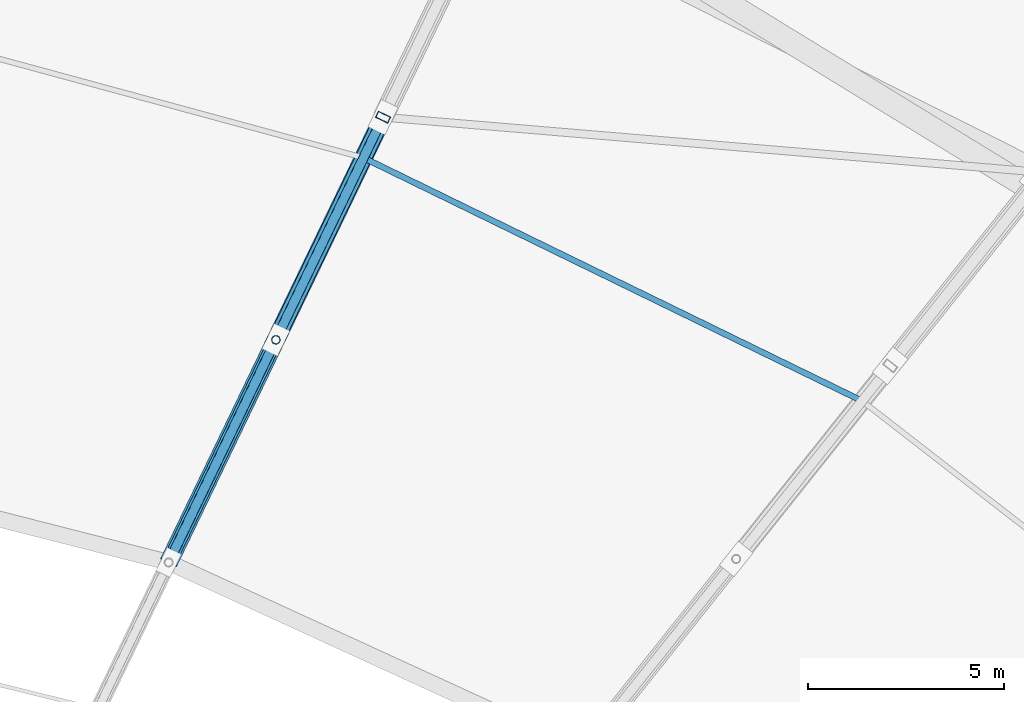
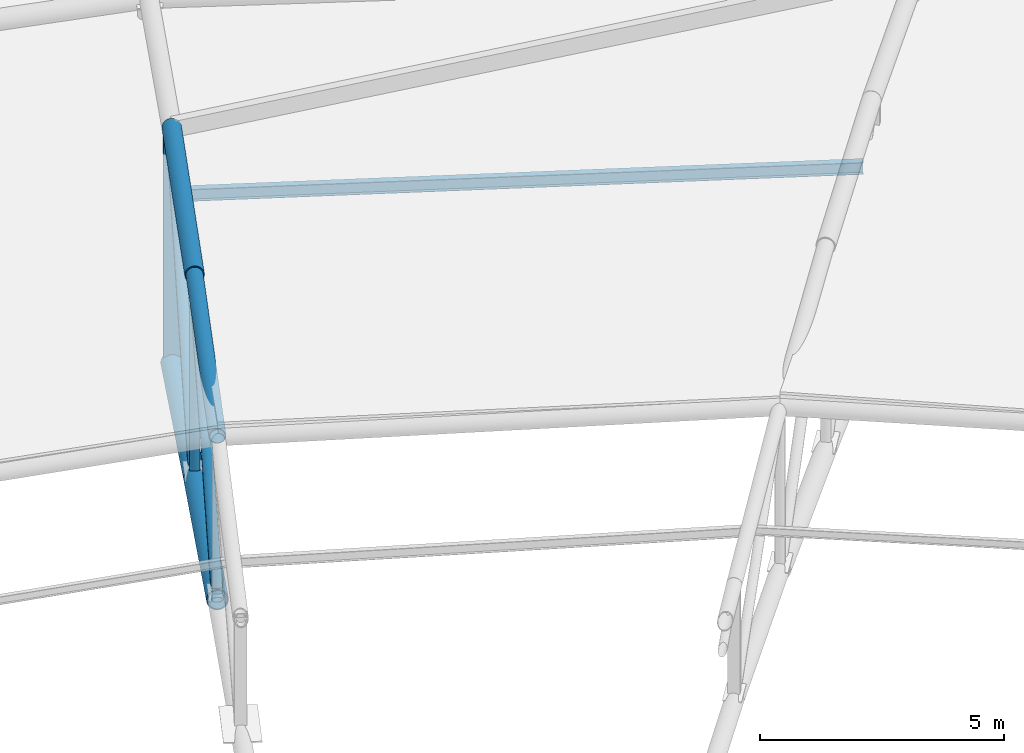
# One storey, part 57 of 108: 9 members.
"""IFC4 building model written with IfcOpenShell, lengths in metres."""

from ifc_helpers import new_model, si_unit, direction, frame, origin, origin_2d, place, context, subcontext, project, spatial, hollow_rectangle, hollow_circle, i_section, extrude, material, material_profile, profile_set, type_object, element, save


model = new_model("IFC4")

# Units and contexts
model_context = context("Model", 3, precision=1e-05, world=origin(), true_north=direction((0.0, 1.0)))
body_context = subcontext(model_context, "Body", "Model", "MODEL_VIEW")
ifc_project = project(units=[si_unit("LENGTHUNIT", "METRE"), si_unit("AREAUNIT", "SQUARE_METRE"), si_unit("VOLUMEUNIT", "CUBIC_METRE"), si_unit("PLANEANGLEUNIT", "RADIAN"), si_unit("MASSUNIT", "GRAM", prefix="KILO")], contexts=[model_context])

# Site, building, storey
site_placement = place(None, origin())
site = spatial("IfcSite", under=ifc_project, at=site_placement, CompositionType="ELEMENT")
building_placement = place(site_placement, origin())
building = spatial("IfcBuilding", under=site, at=building_placement, Name="Zevraka Park Crest Stadium", CompositionType="ELEMENT")
storey_placement = place(building_placement, frame((0.0, 0.0, 29.39990234375)))
storey = spatial("IfcBuildingStorey", under=building, at=storey_placement, Name="RF", CompositionType="ELEMENT", Elevation=29.39990234375)

# Members
ifc_material_1 = material(Name="Steel S355", Category="steel")
ifc_material_profile_1 = material_profile(ifc_material_1, i_section(OverallWidth=0.14990234375, OverallDepth=0.300048828125, WebThickness=0.007080078125, FlangeThickness=0.0107421875, at=origin_2d()), Name="IPE 300")
ifc_profile_set_1 = profile_set([ifc_material_profile_1], Name="Steel S355")
member_type_1 = type_object("IfcMemberType", Name="PR02", PredefinedType="PURLIN", material=ifc_profile_set_1)
member_1_placement = place(storey_placement, frame((153.805908203125, 132.695068359375, 7.47314453125), z_axis=(-0.898795149856, 0.438368884154, 0.0), x_axis=(-0.438368884154, -0.898795149856, 0.0)))
element("IfcMember", 1, at=member_1_placement, inside=storey, type_object=member_type_1, Name="Canopy Roof Purlin PR02 OUTER-05-2", PredefinedType="PURLIN", context=body_context, shape_type="SweptSolid", body=[
    extrude(i_section(OverallWidth=0.14990234375, OverallDepth=0.300048828125, WebThickness=0.007080078125, FlangeThickness=0.0107421875, at=origin_2d()), origin(), (0.0, 0.0, 1.0), 14.1455078125),
])
ifc_material_2 = material(Name="Steel S355", Category="steel")
ifc_material_profile_2 = material_profile(ifc_material_2, hollow_circle(Radius=0.228515625, WallThickness=0.02490234375, at=origin_2d()), Name="CHS 457.0x25")
ifc_profile_set_2 = profile_set([ifc_material_profile_2], Name="Steel S355")
member_type_2 = type_object("IfcMemberType", Name="TC02", PredefinedType="CHORD", material=ifc_profile_set_2)
member_2_placement = place(storey_placement, frame((141.591064453125, 139.931884765625, 2.4501953125), z_axis=(-0.422117665137, -0.876462368732, 0.231582367586), x_axis=(0.900954548252, -0.433913472923, 0.0)))
element("IfcMember", 2, at=member_2_placement, inside=storey, type_object=member_type_2, Name="Roof Truss Bottom Chord TC02 T06-4", PredefinedType="CHORD", context=body_context, shape_type="SweptSolid", body=[
    extrude(hollow_circle(Radius=0.228515625, WallThickness=0.02490234375, at=origin_2d()), origin(), (0.0, 0.0, 1.0), 6.477294921875),
])
member_3_placement = place(storey_placement, frame((138.85693359375, 134.2548828125, 3.9501953125), z_axis=(-0.424202357445, -0.880994854912, 0.20952428393), x_axis=(0.900993814881, -0.433831932372, 0.0)))
element("IfcMember", 3, at=member_3_placement, inside=storey, type_object=member_type_2, Name="Roof Truss Bottom Chord TC02 T06-5", PredefinedType="CHORD", context=body_context, shape_type="SweptSolid", body=[
    extrude(hollow_circle(Radius=0.228515625, WallThickness=0.02490234375, at=origin_2d()), origin(), (0.0, 0.0, 1.0), 6.4423828125),
])
ifc_material_3 = material(Name="Steel S355", Category="steel")
ifc_material_profile_3 = material_profile(ifc_material_3, hollow_circle(Radius=0.203125, WallThickness=0.02001953125, at=origin_2d()), Name="CHS 406.4x20")
ifc_profile_set_3 = profile_set([ifc_material_profile_3], Name="Steel S355")
member_type_3 = type_object("IfcMemberType", Name="TC03", PredefinedType="CHORD", material=ifc_profile_set_3)
member_4_placement = place(storey_placement, frame((141.591064453125, 139.931884765625, 8.35009765625), z_axis=(-0.431260825212, -0.895446733517, 0.110404927751), x_axis=(0.900954548252, -0.433913472923, 0.0)))
element("IfcMember", 4, at=member_4_placement, inside=storey, type_object=member_type_3, Name="Roof Truss Top Chord TC03 T06-4", PredefinedType="CHORD", context=body_context, shape_type="SweptSolid", body=[
    extrude(hollow_circle(Radius=0.203125, WallThickness=0.02001953125, at=origin_2d()), origin(), (0.0, 0.0, 1.0), 6.33984375),
])
ifc_material_4 = material(Name="Steel S355", Category="steel")
ifc_material_profile_4 = material_profile(ifc_material_4, hollow_circle(Radius=0.177734375, WallThickness=0.01611328125, at=origin_2d()), Name="CHS 355.6x16")
ifc_profile_set_4 = profile_set([ifc_material_profile_4], Name="Steel S355")
member_type_4 = type_object("IfcMemberType", Name="TC05", PredefinedType="CHORD", material=ifc_profile_set_4)
member_5_placement = place(storey_placement, frame((138.85693359375, 134.2548828125, 9.050048828125), z_axis=(-0.433163499766, -0.899605596083, 0.055490124948), x_axis=(0.900993814881, -0.433831932372, 0.0)))
element("IfcMember", 5, at=member_5_placement, inside=storey, type_object=member_type_4, Name="Roof Truss Top Chord TC05 T06-5", PredefinedType="CHORD", context=body_context, shape_type="SweptSolid", body=[
    extrude(hollow_circle(Radius=0.177734375, WallThickness=0.01611328125, at=origin_2d()), origin(), (0.0, 0.0, 1.0), 6.30908203125),
])
ifc_material_5 = material(Name="Steel S355", Category="steel")
ifc_material_profile_5 = material_profile(ifc_material_5, hollow_circle(Radius=0.109619140625, WallThickness=0.010009765625, at=origin_2d()), Name="CHS 219.1x10")
ifc_profile_set_5 = profile_set([ifc_material_profile_5], Name="Steel S355")
member_type_5 = type_object("IfcMemberType", Name="WB02", PredefinedType="BRACE", material=ifc_profile_set_5)
member_6_placement = place(storey_placement, frame((138.85693359375, 134.2548828125, 3.9501953125), z_axis=(0.0, 0.0, 1.0), x_axis=(0.43381634559, 0.90100131981, 0.0)))
element("IfcMember", 6, at=member_6_placement, inside=storey, type_object=member_type_5, Name="Roof Truss Web Post WB02 T06-4", PredefinedType="BRACE", context=body_context, shape_type="SweptSolid", body=[
    extrude(hollow_circle(Radius=0.109619140625, WallThickness=0.010009765625, at=origin_2d()), origin(), (0.0, 0.0, 1.0), 5.099853515625),
])
ifc_material_6 = material(Name="Steel S355", Category="steel")
ifc_material_profile_6 = material_profile(ifc_material_6, hollow_circle(Radius=0.122314453125, WallThickness=0.012451171875, at=origin_2d()), Name="CHS 244.5x12.5")
ifc_profile_set_6 = profile_set([ifc_material_profile_6], Name="Steel S355")
member_type_6 = type_object("IfcMemberType", Name="WB07", PredefinedType="BRACE", material=ifc_profile_set_6)
member_7_placement = place(storey_placement, frame((138.85693359375, 134.2548828125, 3.9501953125), z_axis=(0.355763738471, 0.738688651725, 0.572513089983), x_axis=(-0.900954548252, 0.433913472923, 0.0)))
element("IfcMember", 7, at=member_7_placement, inside=storey, type_object=member_type_6, Name="Roof Truss Web Diagonal WB07 T06-4", PredefinedType="BRACE", context=body_context, shape_type="SweptSolid", body=[
    extrude(hollow_circle(Radius=0.122314453125, WallThickness=0.012451171875, at=origin_2d()), origin(), (0.0, 0.0, 1.0), 7.685302734375),
])
member_8_placement = place(storey_placement, frame((136.1240234375, 128.5791015625, 5.300048828125), z_axis=(0.372780448281, 0.774200452173, 0.511515783955), x_axis=(-0.900993814881, 0.433831932372, 0.0)))
element("IfcMember", 8, at=member_8_placement, inside=storey, type_object=member_type_6, Name="Roof Truss Web Diagonal WB07 T06-5", PredefinedType="BRACE", context=body_context, shape_type="SweptSolid", body=[
    extrude(hollow_circle(Radius=0.122314453125, WallThickness=0.012451171875, at=origin_2d()), origin(), (0.0, 0.0, 1.0), 7.3310546875),
])
ifc_material_7 = material(Name="Steel S355", Category="steel")
ifc_material_profile_7 = material_profile(ifc_material_7, hollow_rectangle(XDim=0.175048828125, YDim=0.35009765625, WallThickness=0.012451171875, at=origin_2d()), Name="RHS 350x175x12.5")
ifc_profile_set_7 = profile_set([ifc_material_profile_7], Name="Steel S355")
member_type_7 = type_object("IfcMemberType", Name="WB09", PredefinedType="BRACE", material=ifc_profile_set_7)
member_9_placement = place(storey_placement, frame((141.591064453125, 139.931884765625, 2.4501953125), z_axis=(0.0, 0.0, 1.0), x_axis=(0.43381634559, 0.90100131981, 0.0)))
element("IfcMember", 9, at=member_9_placement, inside=storey, type_object=member_type_7, Name="Roof Truss Web Post WB09 T06-3", PredefinedType="BRACE", context=body_context, shape_type="SweptSolid", body=[
    extrude(hollow_rectangle(XDim=0.175048828125, YDim=0.35009765625, WallThickness=0.012451171875, at=origin_2d()), origin(), (0.0, 0.0, 1.0), 5.89990234375),
])

save(model, "model.ifc")
